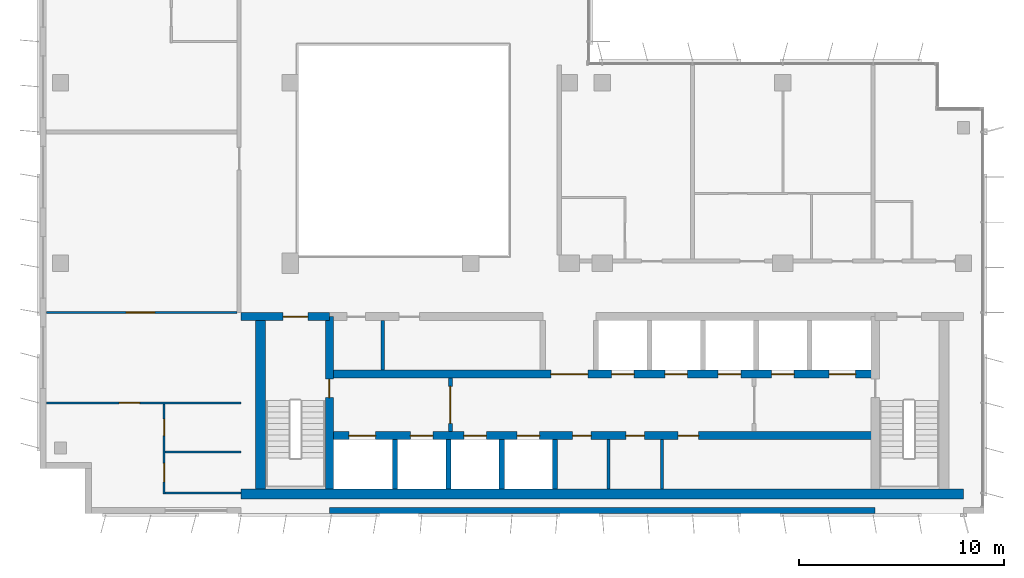
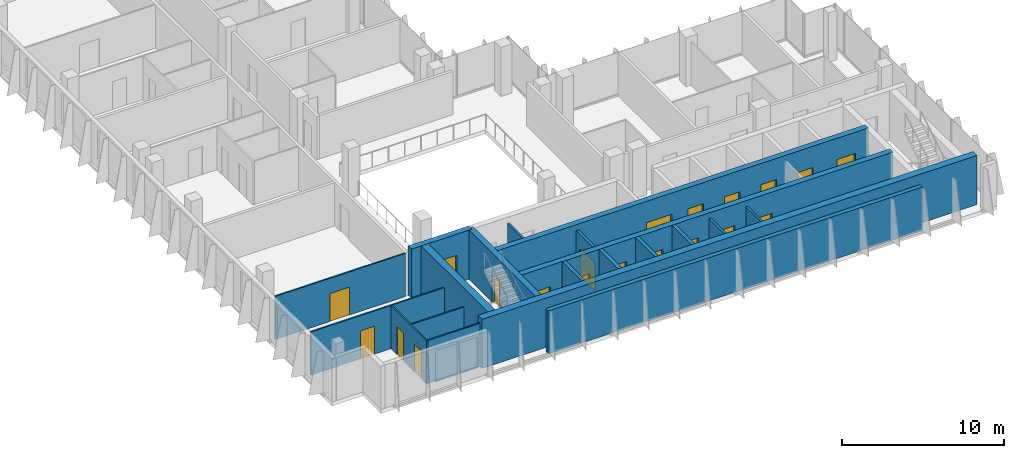
# One storey, part 9 of 15: 20 doors, 20 walls, 20 openings.
"""IFC4 building model written with IfcOpenShell, lengths in metres."""

from ifc_helpers import new_model, si_unit, direction, frame, frame_2d, origin, place, context, subcontext, project, spatial, rectangle, extrude, material, layer, layer_set, type_object, element, fill, save


model = new_model("IFC4")

# Units and contexts
model_context = context("Model", 3, precision=1e-05, world=origin(), true_north=direction((0.0, 1.0)))
body_context = subcontext(model_context, "Body", "Model", "MODEL_VIEW")
ifc_project = project(units=[si_unit("LENGTHUNIT", "METRE"), si_unit("AREAUNIT", "SQUARE_METRE"), si_unit("VOLUMEUNIT", "CUBIC_METRE"), si_unit("PLANEANGLEUNIT", "RADIAN"), si_unit("MASSUNIT", "GRAM", prefix="KILO")], contexts=[model_context])

# Site, building, storey
site_placement = place(None, origin())
site = spatial("IfcSite", under=ifc_project, at=site_placement, CompositionType="ELEMENT")
building_placement = place(site_placement, origin())
building = spatial("IfcBuilding", under=site, at=building_placement, Name="Kemantara Hotel Tower", CompositionType="ELEMENT")
storey_placement = place(building_placement, frame((0.0, 0.0, 305.5)))
storey = spatial("IfcBuildingStorey", under=building, at=storey_placement, Name="L77", CompositionType="ELEMENT", Elevation=305.5)

# Walls
ifc_material_1 = material(Name="Bronze anodised aluminium cladding on insulated steel stud wall", Category="steel")
ifc_layer_1 = layer(ifc_material_1, 0.300048828125)
ifc_layer_set_1 = layer_set([ifc_layer_1], Name="Bronze anodised aluminium cladding on insulated steel stud wall")
wall_type_1 = type_object("IfcWallType", Name="BRONZE METAL-CLAD EXTERNAL WALL 300", PredefinedType="STANDARD", material=ifc_layer_set_1)
wall_1_placement = place(storey_placement, frame((14.10009765625, 0.14990234375, 0.0), z_axis=(0.0, 0.0, 1.0), x_axis=(1.0, 0.0, 0.0)))
element("IfcWall", 1, at=wall_1_placement, inside=storey, type_object=wall_type_1, Name="EXTERNAL WALL L77 T4-R08-2", PredefinedType="STANDARD", context=body_context, shape_type="SweptSolid", body=[
    extrude(rectangle(XDim=26.599853515625, YDim=0.300048828125, at=frame_2d((13.2998046875, 0.0))), origin(), (0.0, 0.0, 1.0), 3.25),
])
ifc_material_2 = material(Name="Concrete fc 50 MPa", Category="concrete")
ifc_layer_2 = layer(ifc_material_2, 0.25)
ifc_layer_set_2 = layer_set([ifc_layer_2], Name="Concrete fc 50 MPa")
wall_type_2 = type_object("IfcWallType", Name="CORE WALL 250 FC50", PredefinedType="SHEAR", material=ifc_layer_set_2)
for number, where, z_axis, x_axis, name in (
    (2, (17.300048828125, 1.199951171875, 0.0), (0.0, 0.0, 1.0), (0.0, 1.0, 0.0), "CORE WALL CW-DS17.3"),
    (3, (19.89990234375, 1.199951171875, 0.0), (0.0, 0.0, 1.0), (0.0, 1.0, 0.0), "CORE WALL CW-DS19.9"),
    (4, (22.5, 1.199951171875, 0.0), (0.0, 0.0, 1.0), (0.0, 1.0, 0.0), "CORE WALL CW-DS22.5"),
    (5, (25.10009765625, 1.199951171875, 0.0), (0.0, 0.0, 1.0), (0.0, 1.0, 0.0), "CORE WALL CW-DS25.1"),
):
    element("IfcWall", number, at=place(storey_placement, frame(where, z_axis=z_axis, x_axis=x_axis)), inside=storey, type_object=wall_type_2, Name=name, PredefinedType="SHEAR", context=body_context, shape_type="SweptSolid", body=[
        extrude(rectangle(XDim=2.400146484375, YDim=0.25, at=frame_2d((1.2001953125, 0.0))), origin(), (0.0, 0.0, 1.0), 3.699951171875),
    ])

# Wall, opening, door
ifc_layer_3 = layer(ifc_material_2, 0.39990234375)
ifc_layer_set_3 = layer_set([ifc_layer_3], Name="Concrete fc 50 MPa")
wall_type_3 = type_object("IfcWallType", Name="CORE WALL 400 FC50", PredefinedType="SHEAR", material=ifc_layer_set_3)
wall_2_placement = place(storey_placement, frame((9.800048828125, 9.60009765625, 0.0), z_axis=(0.0, 0.0, 1.0), x_axis=(1.0, 0.0, 0.0)))
wall_2 = element("IfcWall", 6, at=wall_2_placement, inside=storey, type_object=wall_type_3, Name="CORE WALL CW-N1", PredefinedType="SHEAR", context=body_context, shape_type="SweptSolid", body=[
    extrude(rectangle(XDim=4.300048828125, YDim=0.39990234375, at=frame_2d((2.14990234375, 0.0))), origin(), (0.0, 0.0, 1.0), 3.699951171875),
])
opening_1_placement = place(wall_2_placement, frame((2.050048828125, 0.0, 0.0)))
opening_1 = element("IfcOpeningElement", 7, at=opening_1_placement, cuts=wall_2, Name="Opening C43-ST1-C", PredefinedType="OPENING", context=body_context, shape_type="SweptSolid", body=[
    extrude(rectangle(XDim=1.199951171875, YDim=2.10009765625, at=frame_2d((0.60009765625, 1.050048828125))), frame((0.0, 0.2099609375, 0.0), z_axis=(0.0, -1.0, 0.0), x_axis=(1.0, 0.0, 0.0)), (0.0, 0.0, 1.0), 0.419921875),
])
ifc_material_3 = material(Name="Steel fire door", Category="steel")
door_type_1 = type_object("IfcDoorType", Name="Fire door FD90 1200 x 2100", OperationType="NOTDEFINED", PredefinedType="DOOR", material=ifc_material_3)
door_1_placement = place(opening_1_placement, frame((1.199951171875, 0.0, 0.0), z_axis=(0.0, 0.0, 1.0), x_axis=(-1.0, 0.0, 0.0)))
door_1 = element("IfcDoor", 8, at=door_1_placement, inside=storey, type_object=door_type_1, Name="Stair ST1 door to corridor", OperationType="SINGLE_SWING_LEFT", OverallHeight=2.10009765625, OverallWidth=1.199951171875, PredefinedType="DOOR", context=body_context, shape_type="SweptSolid", body=[
    extrude(rectangle(XDim=1.199951171875, YDim=2.10009765625, at=frame_2d((0.60009765625, 1.050048828125))), frame((0.0, 0.02490234375, 0.0), z_axis=(0.0, -1.0, 0.0), x_axis=(1.0, 0.0, 0.0)), (0.0, 0.0, 1.0), 0.050048828125),
])
fill(opening_1, door_1)

# Wall, openings, doors
wall_3_placement = place(storey_placement, frame((14.10009765625, 3.800048828125, 0.0), z_axis=(0.0, 0.0, 1.0), x_axis=(1.0, 0.0, 0.0)))
wall_3 = element("IfcWall", 9, at=wall_3_placement, inside=storey, type_object=wall_type_3, Name="CORE WALL CW-L1", PredefinedType="SHEAR", context=body_context, shape_type="SweptSolid", body=[
    extrude(rectangle(XDim=26.599853515625, YDim=0.39990234375, at=frame_2d((13.2998046875, 0.0))), origin(), (0.0, 0.0, 1.0), 3.699951171875),
])
opening_2_placement = place(wall_3_placement, frame((0.949951171875, 0.0, 0.0)))
opening_2 = element("IfcOpeningElement", 10, at=opening_2_placement, cuts=wall_3, Name="Opening C43-LD-FF1", PredefinedType="OPENING", context=body_context, shape_type="SweptSolid", body=[
    extrude(rectangle(XDim=1.300048828125, YDim=2.10009765625, at=frame_2d((0.64990234375, 1.050048828125))), frame((0.0, 0.2099609375, 0.0), z_axis=(0.0, -1.0, 0.0), x_axis=(1.0, 0.0, 0.0)), (0.0, 0.0, 1.0), 0.419921875),
])
opening_3_placement = place(wall_3_placement, frame((3.949951171875, 0.0, 0.0)))
opening_3 = element("IfcOpeningElement", 11, at=opening_3_placement, cuts=wall_3, Name="Opening C43-LD-SV1", PredefinedType="OPENING", context=body_context, shape_type="SweptSolid", body=[
    extrude(rectangle(XDim=1.10009765625, YDim=2.10009765625, at=frame_2d((0.550048828125, 1.050048828125))), frame((0.0, 0.2099609375, 0.0), z_axis=(0.0, -1.0, 0.0), x_axis=(1.0, 0.0, 0.0)), (0.0, 0.0, 1.0), 0.419921875),
])
opening_4_placement = place(wall_3_placement, frame((6.550048828125, 0.0, 0.0)))
opening_4 = element("IfcOpeningElement", 12, at=opening_4_placement, cuts=wall_3, Name="Opening C43-LD-SV2", PredefinedType="OPENING", context=body_context, shape_type="SweptSolid", body=[
    extrude(rectangle(XDim=1.10009765625, YDim=2.10009765625, at=frame_2d((0.550048828125, 1.050048828125))), frame((0.0, 0.2099609375, 0.0), z_axis=(0.0, -1.0, 0.0), x_axis=(1.0, 0.0, 0.0)), (0.0, 0.0, 1.0), 0.419921875),
])
opening_5_placement = place(wall_3_placement, frame((9.14990234375, 0.0, 0.0)))
opening_5 = element("IfcOpeningElement", 13, at=opening_5_placement, cuts=wall_3, Name="Opening C43-LD-SV3", PredefinedType="OPENING", context=body_context, shape_type="SweptSolid", body=[
    extrude(rectangle(XDim=1.10009765625, YDim=2.10009765625, at=frame_2d((0.550048828125, 1.050048828125))), frame((0.0, 0.2099609375, 0.0), z_axis=(0.0, -1.0, 0.0), x_axis=(1.0, 0.0, 0.0)), (0.0, 0.0, 1.0), 0.419921875),
])
opening_6_placement = place(wall_3_placement, frame((11.85009765625, 0.0, 0.0)))
opening_6 = element("IfcOpeningElement", 14, at=opening_6_placement, cuts=wall_3, Name="Opening C43-R-SM1", PredefinedType="OPENING", context=body_context, shape_type="SweptSolid", body=[
    extrude(rectangle(XDim=0.89990234375, YDim=2.10009765625, at=frame_2d((0.449951171875, 1.050048828125))), frame((0.0, 0.2099609375, 0.0), z_axis=(0.0, -1.0, 0.0), x_axis=(1.0, 0.0, 0.0)), (0.0, 0.0, 1.0), 0.419921875),
])
opening_7_placement = place(wall_3_placement, frame((14.449951171875, 0.0, 0.0)))
opening_7 = element("IfcOpeningElement", 15, at=opening_7_placement, cuts=wall_3, Name="Opening C43-R-SM2", PredefinedType="OPENING", context=body_context, shape_type="SweptSolid", body=[
    extrude(rectangle(XDim=0.89990234375, YDim=2.10009765625, at=frame_2d((0.449951171875, 1.050048828125))), frame((0.0, 0.2099609375, 0.0), z_axis=(0.0, -1.0, 0.0), x_axis=(1.0, 0.0, 0.0)), (0.0, 0.0, 1.0), 0.419921875),
])
opening_8_placement = place(wall_3_placement, frame((17.0, 0.0, 0.0)))
opening_8 = element("IfcOpeningElement", 16, at=opening_8_placement, cuts=wall_3, Name="Opening C43-R-SM3", PredefinedType="OPENING", context=body_context, shape_type="SweptSolid", body=[
    extrude(rectangle(XDim=1.0, YDim=2.10009765625, at=frame_2d((0.5, 1.050048828125))), frame((0.0, 0.2099609375, 0.0), z_axis=(0.0, -1.0, 0.0), x_axis=(1.0, 0.0, 0.0)), (0.0, 0.0, 1.0), 0.419921875),
])
door_type_2 = type_object("IfcDoorType", Name="Fire door FD30S 1000 x 2100", OperationType="NOTDEFINED", PredefinedType="DOOR", material=ifc_material_3)
door_2_placement = place(opening_8_placement, frame((1.0, 0.0, 0.0), z_axis=(0.0, 0.0, 1.0), x_axis=(-1.0, 0.0, 0.0)))
door_2 = element("IfcDoor", 17, at=door_2_placement, inside=storey, type_object=door_type_2, Name="Linen Store door", OperationType="SINGLE_SWING_LEFT", OverallHeight=2.10009765625, OverallWidth=1.0, PredefinedType="DOOR", context=body_context, shape_type="SweptSolid", body=[
    extrude(rectangle(XDim=1.0, YDim=2.10009765625, at=frame_2d((0.5, 1.050048828125))), frame((0.0, 0.02490234375, 0.0), z_axis=(0.0, -1.0, 0.0), x_axis=(1.0, 0.0, 0.0)), (0.0, 0.0, 1.0), 0.050048828125),
])
fill(opening_8, door_2)
door_type_3 = type_object("IfcDoorType", Name="Fire door FD60 900 x 2100", OperationType="NOTDEFINED", PredefinedType="DOOR", material=ifc_material_3)
door_3_placement = place(opening_6_placement, frame((0.89990234375, 0.0, 0.0), z_axis=(0.0, 0.0, 1.0), x_axis=(-1.0, 0.0, 0.0)))
door_3 = element("IfcDoor", 18, at=door_3_placement, inside=storey, type_object=door_type_3, Name="Electrical Riser Room door", OperationType="SINGLE_SWING_RIGHT", OverallHeight=2.10009765625, OverallWidth=0.89990234375, PredefinedType="DOOR", context=body_context, shape_type="SweptSolid", body=[
    extrude(rectangle(XDim=0.89990234375, YDim=2.10009765625, at=frame_2d((0.449951171875, 1.050048828125))), frame((0.0, 0.02490234375, 0.0), z_axis=(0.0, -1.0, 0.0), x_axis=(1.0, 0.0, 0.0)), (0.0, 0.0, 1.0), 0.050048828125),
])
fill(opening_6, door_3)
door_4_placement = place(opening_7_placement, frame((0.89990234375, 0.0, 0.0), z_axis=(0.0, 0.0, 1.0), x_axis=(-1.0, 0.0, 0.0)))
door_4 = element("IfcDoor", 19, at=door_4_placement, inside=storey, type_object=door_type_3, Name="Comms Equipment Room door", OperationType="SINGLE_SWING_LEFT", OverallHeight=2.10009765625, OverallWidth=0.89990234375, PredefinedType="DOOR", context=body_context, shape_type="SweptSolid", body=[
    extrude(rectangle(XDim=0.89990234375, YDim=2.10009765625, at=frame_2d((0.449951171875, 1.050048828125))), frame((0.0, 0.02490234375, 0.0), z_axis=(0.0, -1.0, 0.0), x_axis=(1.0, 0.0, 0.0)), (0.0, 0.0, 1.0), 0.050048828125),
])
fill(opening_7, door_4)
ifc_material_4 = material(Name="Stainless steel lift door", Category="steel")
door_type_4 = type_object("IfcDoorType", Name="Lift landing door 1100 x 2100 FD60", OperationType="DOUBLE_DOOR_SLIDING", PredefinedType="DOOR", material=ifc_material_4)
door_5_placement = place(opening_3_placement, origin())
door_5 = element("IfcDoor", 20, at=door_5_placement, inside=storey, type_object=door_type_4, Name="Lift SV1 landing door", OperationType="DOUBLE_DOOR_SLIDING", OverallHeight=2.10009765625, OverallWidth=1.10009765625, PredefinedType="DOOR", context=body_context, shape_type="SweptSolid", body=[
    extrude(rectangle(XDim=1.10009765625, YDim=2.10009765625, at=frame_2d((0.550048828125, 1.050048828125))), frame((0.0, 0.02490234375, 0.0), z_axis=(0.0, -1.0, 0.0), x_axis=(1.0, 0.0, 0.0)), (0.0, 0.0, 1.0), 0.050048828125),
])
fill(opening_3, door_5)
door_6_placement = place(opening_4_placement, origin())
door_6 = element("IfcDoor", 21, at=door_6_placement, inside=storey, type_object=door_type_4, Name="Lift SV2 landing door", OperationType="DOUBLE_DOOR_SLIDING", OverallHeight=2.10009765625, OverallWidth=1.10009765625, PredefinedType="DOOR", context=body_context, shape_type="SweptSolid", body=[
    extrude(rectangle(XDim=1.10009765625, YDim=2.10009765625, at=frame_2d((0.550048828125, 1.050048828125))), frame((0.0, 0.02490234375, 0.0), z_axis=(0.0, -1.0, 0.0), x_axis=(1.0, 0.0, 0.0)), (0.0, 0.0, 1.0), 0.050048828125),
])
fill(opening_4, door_6)
door_7_placement = place(opening_5_placement, origin())
door_7 = element("IfcDoor", 22, at=door_7_placement, inside=storey, type_object=door_type_4, Name="Lift SV3 landing door", OperationType="DOUBLE_DOOR_SLIDING", OverallHeight=2.10009765625, OverallWidth=1.10009765625, PredefinedType="DOOR", context=body_context, shape_type="SweptSolid", body=[
    extrude(rectangle(XDim=1.10009765625, YDim=2.10009765625, at=frame_2d((0.550048828125, 1.050048828125))), frame((0.0, 0.02490234375, 0.0), z_axis=(0.0, -1.0, 0.0), x_axis=(1.0, 0.0, 0.0)), (0.0, 0.0, 1.0), 0.050048828125),
])
fill(opening_5, door_7)
door_type_5 = type_object("IfcDoorType", Name="Lift landing door 1300 x 2100 FD90", OperationType="DOUBLE_DOOR_SLIDING", PredefinedType="DOOR", material=ifc_material_4)
door_8_placement = place(opening_2_placement, origin())
door_8 = element("IfcDoor", 23, at=door_8_placement, inside=storey, type_object=door_type_5, Name="Lift FF1 landing door", OperationType="DOUBLE_DOOR_SLIDING", OverallHeight=2.10009765625, OverallWidth=1.300048828125, PredefinedType="DOOR", context=body_context, shape_type="SweptSolid", body=[
    extrude(rectangle(XDim=1.300048828125, YDim=2.10009765625, at=frame_2d((0.64990234375, 1.050048828125))), frame((0.0, 0.02490234375, 0.0), z_axis=(0.0, -1.0, 0.0), x_axis=(1.0, 0.0, 0.0)), (0.0, 0.0, 1.0), 0.050048828125),
])
fill(opening_2, door_8)

wall_4_placement = place(storey_placement, frame((14.10009765625, 6.800048828125, 0.0), z_axis=(0.0, 0.0, 1.0), x_axis=(1.0, 0.0, 0.0)))
wall_4 = element("IfcWall", 24, at=wall_4_placement, inside=storey, type_object=wall_type_3, Name="CORE WALL CW-L2", PredefinedType="SHEAR", context=body_context, shape_type="SweptSolid", body=[
    extrude(rectangle(XDim=26.599853515625, YDim=0.39990234375, at=frame_2d((13.2998046875, 0.0))), origin(), (0.0, 0.0, 1.0), 3.699951171875),
])
opening_9_placement = place(wall_4_placement, frame((10.800048828125, 0.0, 0.0)))
opening_9 = element("IfcOpeningElement", 25, at=opening_9_placement, cuts=wall_4, Name="Opening C43-VL", PredefinedType="OPENING", context=body_context, shape_type="SweptSolid", body=[
    extrude(rectangle(XDim=1.800048828125, YDim=2.10009765625, at=frame_2d((0.89990234375, 1.050048828125))), frame((0.0, 0.2099609375, 0.0), z_axis=(0.0, -1.0, 0.0), x_axis=(1.0, 0.0, 0.0)), (0.0, 0.0, 1.0), 0.419921875),
])
opening_10_placement = place(wall_4_placement, frame((13.75, 0.0, 0.0)))
opening_10 = element("IfcOpeningElement", 26, at=opening_10_placement, cuts=wall_4, Name="Opening C43-LD-HR1", PredefinedType="OPENING", context=body_context, shape_type="SweptSolid", body=[
    extrude(rectangle(XDim=1.10009765625, YDim=2.10009765625, at=frame_2d((0.550048828125, 1.050048828125))), frame((0.0, 0.2099609375, 0.0), z_axis=(0.0, -1.0, 0.0), x_axis=(1.0, 0.0, 0.0)), (0.0, 0.0, 1.0), 0.419921875),
])
opening_11_placement = place(wall_4_placement, frame((16.35009765625, 0.0, 0.0)))
opening_11 = element("IfcOpeningElement", 27, at=opening_11_placement, cuts=wall_4, Name="Opening C43-LD-HR2", PredefinedType="OPENING", context=body_context, shape_type="SweptSolid", body=[
    extrude(rectangle(XDim=1.10009765625, YDim=2.10009765625, at=frame_2d((0.550048828125, 1.050048828125))), frame((0.0, 0.2099609375, 0.0), z_axis=(0.0, -1.0, 0.0), x_axis=(1.0, 0.0, 0.0)), (0.0, 0.0, 1.0), 0.419921875),
])
opening_12_placement = place(wall_4_placement, frame((18.949951171875, 0.0, 0.0)))
opening_12 = element("IfcOpeningElement", 28, at=opening_12_placement, cuts=wall_4, Name="Opening C43-LD-HR3", PredefinedType="OPENING", context=body_context, shape_type="SweptSolid", body=[
    extrude(rectangle(XDim=1.10009765625, YDim=2.10009765625, at=frame_2d((0.550048828125, 1.050048828125))), frame((0.0, 0.2099609375, 0.0), z_axis=(0.0, -1.0, 0.0), x_axis=(1.0, 0.0, 0.0)), (0.0, 0.0, 1.0), 0.419921875),
])
opening_13_placement = place(wall_4_placement, frame((21.550048828125, 0.0, 0.0)))
opening_13 = element("IfcOpeningElement", 29, at=opening_13_placement, cuts=wall_4, Name="Opening C43-LD-HR4", PredefinedType="OPENING", context=body_context, shape_type="SweptSolid", body=[
    extrude(rectangle(XDim=1.10009765625, YDim=2.10009765625, at=frame_2d((0.550048828125, 1.050048828125))), frame((0.0, 0.2099609375, 0.0), z_axis=(0.0, -1.0, 0.0), x_axis=(1.0, 0.0, 0.0)), (0.0, 0.0, 1.0), 0.419921875),
])
opening_14_placement = place(wall_4_placement, frame((24.35009765625, 0.0, 0.0)))
opening_14 = element("IfcOpeningElement", 30, at=opening_14_placement, cuts=wall_4, Name="Opening C43-LD-FF2", PredefinedType="OPENING", context=body_context, shape_type="SweptSolid", body=[
    extrude(rectangle(XDim=1.300048828125, YDim=2.10009765625, at=frame_2d((0.64990234375, 1.050048828125))), frame((0.0, 0.2099609375, 0.0), z_axis=(0.0, -1.0, 0.0), x_axis=(1.0, 0.0, 0.0)), (0.0, 0.0, 1.0), 0.419921875),
])
door_type_6 = type_object("IfcDoorType", Name="Fire door pair FD60 1800 x 2100", OperationType="DOUBLE_DOOR_SINGLE_SWING", PredefinedType="DOOR", material=ifc_material_3)
door_9_placement = place(opening_9_placement, frame((1.800048828125, 0.0, 0.0), z_axis=(0.0, 0.0, 1.0), x_axis=(-1.0, 0.0, 0.0)))
door_9 = element("IfcDoor", 31, at=door_9_placement, inside=storey, type_object=door_type_6, Name="Lift lobby entry door", OperationType="DOUBLE_DOOR_SINGLE_SWING", OverallHeight=2.10009765625, OverallWidth=1.800048828125, PredefinedType="DOOR", context=body_context, shape_type="SweptSolid", body=[
    extrude(rectangle(XDim=1.800048828125, YDim=2.10009765625, at=frame_2d((0.89990234375, 1.050048828125))), frame((0.0, 0.02490234375, 0.0), z_axis=(0.0, -1.0, 0.0), x_axis=(1.0, 0.0, 0.0)), (0.0, 0.0, 1.0), 0.050048828125),
])
fill(opening_9, door_9)
door_10_placement = place(opening_10_placement, origin())
door_10 = element("IfcDoor", 32, at=door_10_placement, inside=storey, type_object=door_type_4, Name="Lift HR1 landing door", OperationType="DOUBLE_DOOR_SLIDING", OverallHeight=2.10009765625, OverallWidth=1.10009765625, PredefinedType="DOOR", context=body_context, shape_type="SweptSolid", body=[
    extrude(rectangle(XDim=1.10009765625, YDim=2.10009765625, at=frame_2d((0.550048828125, 1.050048828125))), frame((0.0, 0.02490234375, 0.0), z_axis=(0.0, -1.0, 0.0), x_axis=(1.0, 0.0, 0.0)), (0.0, 0.0, 1.0), 0.050048828125),
])
fill(opening_10, door_10)
door_11_placement = place(opening_11_placement, origin())
door_11 = element("IfcDoor", 33, at=door_11_placement, inside=storey, type_object=door_type_4, Name="Lift HR2 landing door", OperationType="DOUBLE_DOOR_SLIDING", OverallHeight=2.10009765625, OverallWidth=1.10009765625, PredefinedType="DOOR", context=body_context, shape_type="SweptSolid", body=[
    extrude(rectangle(XDim=1.10009765625, YDim=2.10009765625, at=frame_2d((0.550048828125, 1.050048828125))), frame((0.0, 0.02490234375, 0.0), z_axis=(0.0, -1.0, 0.0), x_axis=(1.0, 0.0, 0.0)), (0.0, 0.0, 1.0), 0.050048828125),
])
fill(opening_11, door_11)
door_12_placement = place(opening_12_placement, origin())
door_12 = element("IfcDoor", 34, at=door_12_placement, inside=storey, type_object=door_type_4, Name="Lift HR3 landing door", OperationType="DOUBLE_DOOR_SLIDING", OverallHeight=2.10009765625, OverallWidth=1.10009765625, PredefinedType="DOOR", context=body_context, shape_type="SweptSolid", body=[
    extrude(rectangle(XDim=1.10009765625, YDim=2.10009765625, at=frame_2d((0.550048828125, 1.050048828125))), frame((0.0, 0.02490234375, 0.0), z_axis=(0.0, -1.0, 0.0), x_axis=(1.0, 0.0, 0.0)), (0.0, 0.0, 1.0), 0.050048828125),
])
fill(opening_12, door_12)
door_13_placement = place(opening_13_placement, origin())
door_13 = element("IfcDoor", 35, at=door_13_placement, inside=storey, type_object=door_type_4, Name="Lift HR4 landing door", OperationType="DOUBLE_DOOR_SLIDING", OverallHeight=2.10009765625, OverallWidth=1.10009765625, PredefinedType="DOOR", context=body_context, shape_type="SweptSolid", body=[
    extrude(rectangle(XDim=1.10009765625, YDim=2.10009765625, at=frame_2d((0.550048828125, 1.050048828125))), frame((0.0, 0.02490234375, 0.0), z_axis=(0.0, -1.0, 0.0), x_axis=(1.0, 0.0, 0.0)), (0.0, 0.0, 1.0), 0.050048828125),
])
fill(opening_13, door_13)
door_14_placement = place(opening_14_placement, origin())
door_14 = element("IfcDoor", 36, at=door_14_placement, inside=storey, type_object=door_type_5, Name="Lift FF2 landing door", OperationType="DOUBLE_DOOR_SLIDING", OverallHeight=2.10009765625, OverallWidth=1.300048828125, PredefinedType="DOOR", context=body_context, shape_type="SweptSolid", body=[
    extrude(rectangle(XDim=1.300048828125, YDim=2.10009765625, at=frame_2d((0.64990234375, 1.050048828125))), frame((0.0, 0.02490234375, 0.0), z_axis=(0.0, -1.0, 0.0), x_axis=(1.0, 0.0, 0.0)), (0.0, 0.0, 1.0), 0.050048828125),
])
fill(opening_14, door_14)

# Wall, opening, door
wall_5_placement = place(storey_placement, frame((14.10009765625, 1.199951171875, 0.0), z_axis=(0.0, 0.0, 1.0), x_axis=(0.0, 1.0, 0.0)))
wall_5 = element("IfcWall", 37, at=wall_5_placement, inside=storey, type_object=wall_type_3, Name="CORE WALL CW-ST1E", PredefinedType="SHEAR", context=body_context, shape_type="SweptSolid", body=[
    extrude(rectangle(XDim=8.400146484375, YDim=0.39990234375, at=frame_2d((4.2001953125, 0.0))), origin(), (0.0, 0.0, 1.0), 3.699951171875),
])
opening_15_placement = place(wall_5_placement, frame((4.449951171875, 0.0, 0.0)))
opening_15 = element("IfcOpeningElement", 38, at=opening_15_placement, cuts=wall_5, Name="Opening C43-ST1-F", PredefinedType="OPENING", context=body_context, shape_type="SweptSolid", body=[
    extrude(rectangle(XDim=0.89990234375, YDim=2.10009765625, at=frame_2d((0.449951171875, 1.050048828125))), frame((0.0, 0.2099609375, 0.0), z_axis=(0.0, -1.0, 0.0), x_axis=(1.0, 0.0, 0.0)), (0.0, 0.0, 1.0), 0.419921875),
])
door_type_7 = type_object("IfcDoorType", Name="Fire door FD90 900 x 2100", OperationType="NOTDEFINED", PredefinedType="DOOR", material=ifc_material_3)
door_15_placement = place(opening_15_placement, origin())
door_15 = element("IfcDoor", 39, at=door_15_placement, inside=storey, type_object=door_type_7, Name="Stair ST1 door to firefighting lobby", OperationType="SINGLE_SWING_RIGHT", OverallHeight=2.10009765625, OverallWidth=0.89990234375, PredefinedType="DOOR", context=body_context, shape_type="SweptSolid", body=[
    extrude(rectangle(XDim=0.89990234375, YDim=2.10009765625, at=frame_2d((0.449951171875, 1.050048828125))), frame((0.0, 0.02490234375, 0.0), z_axis=(0.0, -1.0, 0.0), x_axis=(1.0, 0.0, 0.0)), (0.0, 0.0, 1.0), 0.050048828125),
])
fill(opening_15, door_15)

# Walls
ifc_layer_4 = layer(ifc_material_2, 0.5)
ifc_layer_set_4 = layer_set([ifc_layer_4], Name="Concrete fc 50 MPa")
wall_type_4 = type_object("IfcWallType", Name="CORE WALL 500 FC50", PredefinedType="SHEAR", material=ifc_layer_set_4)
wall_6_placement = place(storey_placement, frame((9.800048828125, 0.949951171875, 0.0), z_axis=(0.0, 0.0, 1.0), x_axis=(1.0, 0.0, 0.0)))
element("IfcWall", 40, at=wall_6_placement, inside=storey, type_object=wall_type_4, Name="CORE WALL CW-S", PredefinedType="SHEAR", context=body_context, shape_type="SweptSolid", body=[
    extrude(rectangle(XDim=35.199951171875, YDim=0.5, at=frame_2d((17.60009765625, 0.0))), origin(), (0.0, 0.0, 1.0), 3.699951171875),
])
wall_7_placement = place(storey_placement, frame((10.75, 1.199951171875, 0.0), z_axis=(0.0, 0.0, 1.0), x_axis=(0.0, 1.0, 0.0)))
element("IfcWall", 41, at=wall_7_placement, inside=storey, type_object=wall_type_4, Name="CORE WALL CW-W", PredefinedType="SHEAR", context=body_context, shape_type="SweptSolid", body=[
    extrude(rectangle(XDim=8.60009765625, YDim=0.5, at=frame_2d((4.300048828125, 0.0))), origin(), (0.0, 0.0, 1.0), 3.699951171875),
])
ifc_material_5 = material(Name="Gypsum board partition")
ifc_layer_5 = layer(ifc_material_5, 0.14990234375)
ifc_layer_set_5 = layer_set([ifc_layer_5], Name="Gypsum board partition")
wall_type_5 = type_object("IfcWallType", Name="Gypsum board partition 150 mm", PredefinedType="PARTITIONING", material=ifc_layer_set_5)
wall_8_placement = place(storey_placement, frame((16.699951171875, 7.0, 0.0), z_axis=(0.0, 0.0, 1.0), x_axis=(0.0, 1.0, 0.0)))
element("IfcWall", 42, at=wall_8_placement, inside=storey, type_object=wall_type_5, Name="Core room partition", PredefinedType="PARTITIONING", context=body_context, shape_type="SweptSolid", body=[
    extrude(rectangle(XDim=2.39990234375, YDim=0.14990234375, at=frame_2d((1.199951171875, 0.0))), origin(), (0.0, 0.0, 1.0), 3.25),
])
for number, where, z_axis, x_axis, name in (
    (43, (27.699951171875, 1.199951171875, 0.0), (0.0, 0.0, 1.0), (0.0, 1.0, 0.0), "Core room partition"),
    (44, (30.300048828125, 1.199951171875, 0.0), (0.0, 0.0, 1.0), (0.0, 1.0, 0.0), "Core room partition"),
):
    element("IfcWall", number, at=place(storey_placement, frame(where, z_axis=z_axis, x_axis=x_axis)), inside=storey, type_object=wall_type_5, Name=name, PredefinedType="PARTITIONING", context=body_context, shape_type="SweptSolid", body=[
        extrude(rectangle(XDim=2.400146484375, YDim=0.14990234375, at=frame_2d((1.2001953125, 0.0))), origin(), (0.0, 0.0, 1.0), 3.25),
    ])

# Wall, opening, door
ifc_material_6 = material(Name="Gypsum board shaft wall")
ifc_layer_6 = layer(ifc_material_6, 0.199951171875)
ifc_layer_set_6 = layer_set([ifc_layer_6], Name="Gypsum board shaft wall")
wall_type_6 = type_object("IfcWallType", Name="Gypsum board shaft wall 200 mm", PredefinedType="PARTITIONING", material=ifc_layer_set_6)
wall_9_placement = place(storey_placement, frame((20.0, 4.0, 0.0), z_axis=(0.0, 0.0, 1.0), x_axis=(0.0, 1.0, 0.0)))
wall_9 = element("IfcWall", 45, at=wall_9_placement, inside=storey, type_object=wall_type_6, Name="Firefighting lobby partition west", PredefinedType="PARTITIONING", context=body_context, shape_type="SweptSolid", body=[
    extrude(rectangle(XDim=2.60009765625, YDim=0.199951171875, at=frame_2d((1.300048828125, 0.0))), origin(), (0.0, 0.0, 1.0), 3.25),
])
opening_16_placement = place(wall_9_placement, frame((0.39990234375, 0.0, 0.0)))
opening_16 = element("IfcOpeningElement", 46, at=opening_16_placement, cuts=wall_9, Name="Opening C43-FFW", PredefinedType="OPENING", context=body_context, shape_type="SweptSolid", body=[
    extrude(rectangle(XDim=1.800048828125, YDim=2.10009765625, at=frame_2d((0.89990234375, 1.050048828125))), frame((0.0, 0.10986328125, 0.0), z_axis=(0.0, -1.0, 0.0), x_axis=(1.0, 0.0, 0.0)), (0.0, 0.0, 1.0), 0.219970703125),
])
door_16_placement = place(opening_16_placement, origin())
door_16 = element("IfcDoor", 47, at=door_16_placement, inside=storey, type_object=door_type_6, Name="Firefighting lobby door west", OperationType="DOUBLE_DOOR_SINGLE_SWING", OverallHeight=2.10009765625, OverallWidth=1.800048828125, PredefinedType="DOOR", context=body_context, shape_type="SweptSolid", body=[
    extrude(rectangle(XDim=1.800048828125, YDim=2.10009765625, at=frame_2d((0.89990234375, 1.050048828125))), frame((0.0, 0.02490234375, 0.0), z_axis=(0.0, -1.0, 0.0), x_axis=(1.0, 0.0, 0.0)), (0.0, 0.0, 1.0), 0.050048828125),
])
fill(opening_16, door_16)

# Wall, openings, doors
ifc_material_7 = material(Name="Gypsum board partition on steel studs, 100 mm", Category="steel")
ifc_layer_7 = layer(ifc_material_7, 0.10009765625)
ifc_layer_set_7 = layer_set([ifc_layer_7], Name="Gypsum board partition on steel studs, 100 mm")
wall_type_7 = type_object("IfcWallType", Name="ROOM PARTITION 100", PredefinedType="PARTITIONING", material=ifc_layer_set_7)
wall_10_placement = place(storey_placement, frame((6.050048828125, 5.35009765625, 0.0), z_axis=(0.0, 0.0, 1.0), x_axis=(0.0, -1.0, 0.0)))
wall_10 = element("IfcWall", 48, at=wall_10_placement, inside=storey, type_object=wall_type_7, Name="ROOM PARTITION 100 027", PredefinedType="PARTITIONING", context=body_context, shape_type="SweptSolid", body=[
    extrude(rectangle(XDim=4.400146484375, YDim=0.10009765625, at=frame_2d((2.2001953125, 0.0))), origin(), (0.0, 0.0, 1.0), 3.25),
])
opening_17_placement = place(wall_10_placement, frame((2.89990234375, 0.0, 0.0)))
opening_17 = element("IfcOpeningElement", 49, at=opening_17_placement, cuts=wall_10, Name="Opening F38-012", PredefinedType="OPENING", context=body_context, shape_type="SweptSolid", body=[
    extrude(rectangle(XDim=0.89990234375, YDim=2.10009765625, at=frame_2d((0.449951171875, 1.050048828125))), frame((0.0, 0.06005859375, 0.0), z_axis=(0.0, -1.0, 0.0), x_axis=(1.0, 0.0, 0.0)), (0.0, 0.0, 1.0), 0.1201171875),
])
opening_18_placement = place(wall_10_placement, frame((0.75, 0.0, 0.0)))
opening_18 = element("IfcOpeningElement", 50, at=opening_18_placement, cuts=wall_10, Name="Opening F38-013", PredefinedType="OPENING", context=body_context, shape_type="SweptSolid", body=[
    extrude(rectangle(XDim=0.800048828125, YDim=2.10009765625, at=frame_2d((0.39990234375, 1.050048828125))), frame((0.0, 0.06005859375, 0.0), z_axis=(0.0, -1.0, 0.0), x_axis=(1.0, 0.0, 0.0)), (0.0, 0.0, 1.0), 0.1201171875),
])
ifc_material_8 = material(Name="Hardwood veneer door leaf with steel frame", Category="steel")
door_type_8 = type_object("IfcDoorType", Name="BATHROOM DOOR 900 X 2100", OperationType="NOTDEFINED", PredefinedType="DOOR", material=ifc_material_8)
door_17_placement = place(opening_17_placement, origin())
door_17 = element("IfcDoor", 51, at=door_17_placement, inside=storey, type_object=door_type_8, Name="BATHROOM DOOR F38-012", OperationType="SINGLE_SWING_LEFT", OverallHeight=2.10009765625, OverallWidth=0.89990234375, PredefinedType="DOOR", context=body_context, shape_type="SweptSolid", body=[
    extrude(rectangle(XDim=0.89990234375, YDim=2.10009765625, at=frame_2d((0.449951171875, 1.050048828125))), frame((0.0, 0.02490234375, 0.0), z_axis=(0.0, -1.0, 0.0), x_axis=(1.0, 0.0, 0.0)), (0.0, 0.0, 1.0), 0.050048828125),
])
fill(opening_17, door_17)
door_type_9 = type_object("IfcDoorType", Name="WARDROBE DOOR 800 X 2100", OperationType="NOTDEFINED", PredefinedType="DOOR", material=ifc_material_8)
door_18_placement = place(opening_18_placement, origin())
door_18 = element("IfcDoor", 52, at=door_18_placement, inside=storey, type_object=door_type_9, Name="WARDROBE DOOR F38-013", OperationType="SINGLE_SWING_LEFT", OverallHeight=2.10009765625, OverallWidth=0.800048828125, PredefinedType="DOOR", context=body_context, shape_type="SweptSolid", body=[
    extrude(rectangle(XDim=0.800048828125, YDim=2.10009765625, at=frame_2d((0.39990234375, 1.050048828125))), frame((0.0, 0.02490234375, 0.0), z_axis=(0.0, -1.0, 0.0), x_axis=(1.0, 0.0, 0.0)), (0.0, 0.0, 1.0), 0.050048828125),
])
fill(opening_18, door_18)

# Wall, opening, door
wall_11_placement = place(storey_placement, frame((9.60009765625, 9.800048828125, 0.0), z_axis=(0.0, 0.0, 1.0), x_axis=(-1.0, 0.0, 0.0)))
wall_11 = element("IfcWall", 53, at=wall_11_placement, inside=storey, type_object=wall_type_7, Name="ROOM PARTITION 100 028", PredefinedType="PARTITIONING", context=body_context, shape_type="SweptSolid", body=[
    extrude(rectangle(XDim=9.2900390625, YDim=0.10009765625, at=frame_2d((4.64501953125, 0.0))), origin(), (0.0, 0.0, 1.0), 3.25),
])
opening_19_placement = place(wall_11_placement, frame((4.0, 0.0, 0.0)))
opening_19 = element("IfcOpeningElement", 54, at=opening_19_placement, cuts=wall_11, Name="Opening F38-010", PredefinedType="OPENING", context=body_context, shape_type="SweptSolid", body=[
    extrude(rectangle(XDim=1.39990234375, YDim=2.10009765625, at=frame_2d((0.699951171875, 1.050048828125))), frame((0.0, 0.06005859375, 0.0), z_axis=(0.0, -1.0, 0.0), x_axis=(1.0, 0.0, 0.0)), (0.0, 0.0, 1.0), 0.1201171875),
])
door_type_10 = type_object("IfcDoorType", Name="INTERNAL DOOR 1400 X 2100", OperationType="NOTDEFINED", PredefinedType="DOOR", material=ifc_material_8)
door_19_placement = place(opening_19_placement, origin())
door_19 = element("IfcDoor", 55, at=door_19_placement, inside=storey, type_object=door_type_10, Name="INTERNAL DOOR F38-010", OperationType="DOUBLE_DOOR_SINGLE_SWING", OverallHeight=2.10009765625, OverallWidth=1.39990234375, PredefinedType="DOOR", context=body_context, shape_type="SweptSolid", body=[
    extrude(rectangle(XDim=1.39990234375, YDim=2.10009765625, at=frame_2d((0.699951171875, 1.050048828125))), frame((0.0, 0.02490234375, 0.0), z_axis=(0.0, -1.0, 0.0), x_axis=(1.0, 0.0, 0.0)), (0.0, 0.0, 1.0), 0.050048828125),
])
fill(opening_19, door_19)

wall_12_placement = place(storey_placement, frame((9.7998046875, 5.39990234375, 0.0), z_axis=(0.0, 0.0, 1.0), x_axis=(-1.0, 0.0, 0.0)))
wall_12 = element("IfcWall", 56, at=wall_12_placement, inside=storey, type_object=wall_type_7, Name="ROOM PARTITION 100 029", PredefinedType="PARTITIONING", context=body_context, shape_type="SweptSolid", body=[
    extrude(rectangle(XDim=9.48974609375, YDim=0.10009765625, at=frame_2d((4.744873046875, 0.0))), origin(), (0.0, 0.0, 1.0), 3.25),
])
opening_20_placement = place(wall_12_placement, frame((4.949951171875, 0.0, 0.0)))
opening_20 = element("IfcOpeningElement", 57, at=opening_20_placement, cuts=wall_12, Name="Opening F38-011", PredefinedType="OPENING", context=body_context, shape_type="SweptSolid", body=[
    extrude(rectangle(XDim=1.0, YDim=2.10009765625, at=frame_2d((0.5, 1.050048828125))), frame((0.0, 0.06005859375, 0.0), z_axis=(0.0, -1.0, 0.0), x_axis=(1.0, 0.0, 0.0)), (0.0, 0.0, 1.0), 0.1201171875),
])
door_type_11 = type_object("IfcDoorType", Name="INTERNAL DOOR 1000 X 2100", OperationType="NOTDEFINED", PredefinedType="DOOR", material=ifc_material_8)
door_20_placement = place(opening_20_placement, origin())
door_20 = element("IfcDoor", 58, at=door_20_placement, inside=storey, type_object=door_type_11, Name="INTERNAL DOOR F38-011", OperationType="SINGLE_SWING_LEFT", OverallHeight=2.10009765625, OverallWidth=1.0, PredefinedType="DOOR", context=body_context, shape_type="SweptSolid", body=[
    extrude(rectangle(XDim=1.0, YDim=2.10009765625, at=frame_2d((0.5, 1.050048828125))), frame((0.0, 0.02490234375, 0.0), z_axis=(0.0, -1.0, 0.0), x_axis=(1.0, 0.0, 0.0)), (0.0, 0.0, 1.0), 0.050048828125),
])
fill(opening_20, door_20)

# Walls
for number, where, z_axis, x_axis, name in (
    (59, (6.10009765625, 1.0, 0.0), (0.0, 0.0, 1.0), (1.0, 0.0, 0.0), "ROOM PARTITION 100 030"),
    (60, (6.10009765625, 3.0, 0.0), (0.0, 0.0, 1.0), (1.0, 0.0, 0.0), "ROOM PARTITION 100 031"),
):
    element("IfcWall", number, at=place(storey_placement, frame(where, z_axis=z_axis, x_axis=x_axis)), inside=storey, type_object=wall_type_7, Name=name, PredefinedType="PARTITIONING", context=body_context, shape_type="SweptSolid", body=[
        extrude(rectangle(XDim=3.69970703125, YDim=0.10009765625, at=frame_2d((1.849853515625, 0.0))), origin(), (0.0, 0.0, 1.0), 3.25),
    ])

save(model, "model.ifc")
